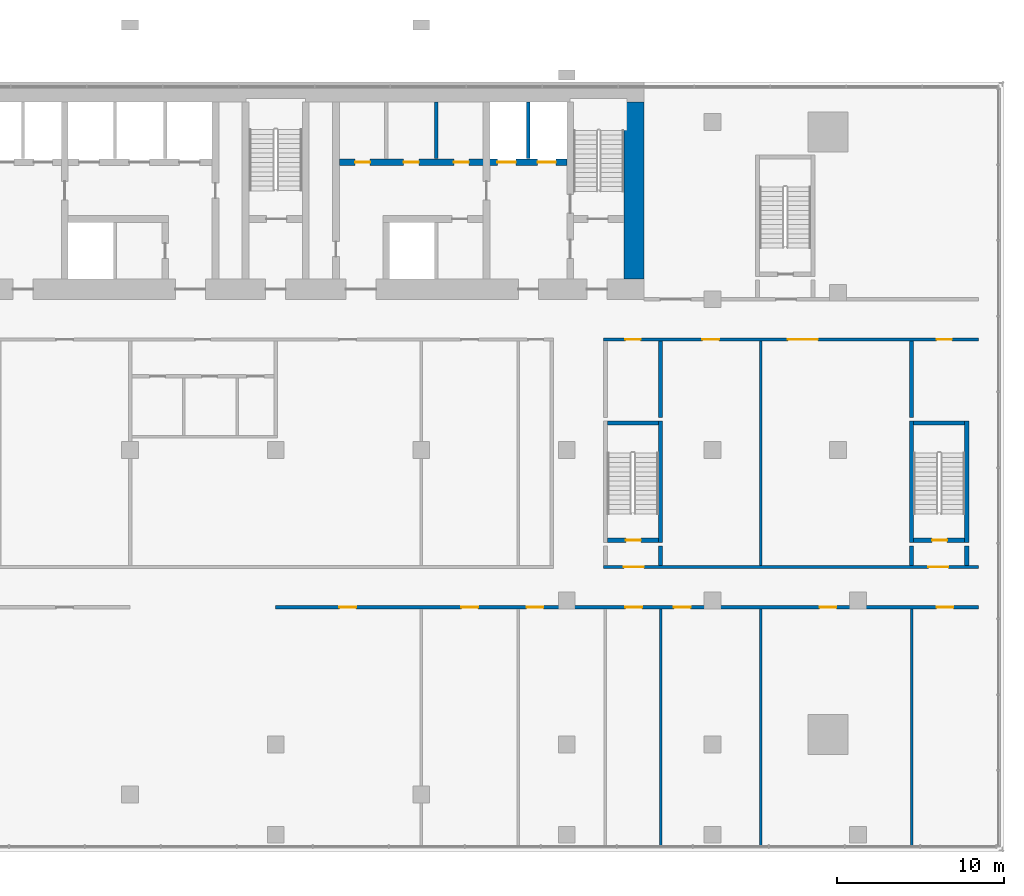
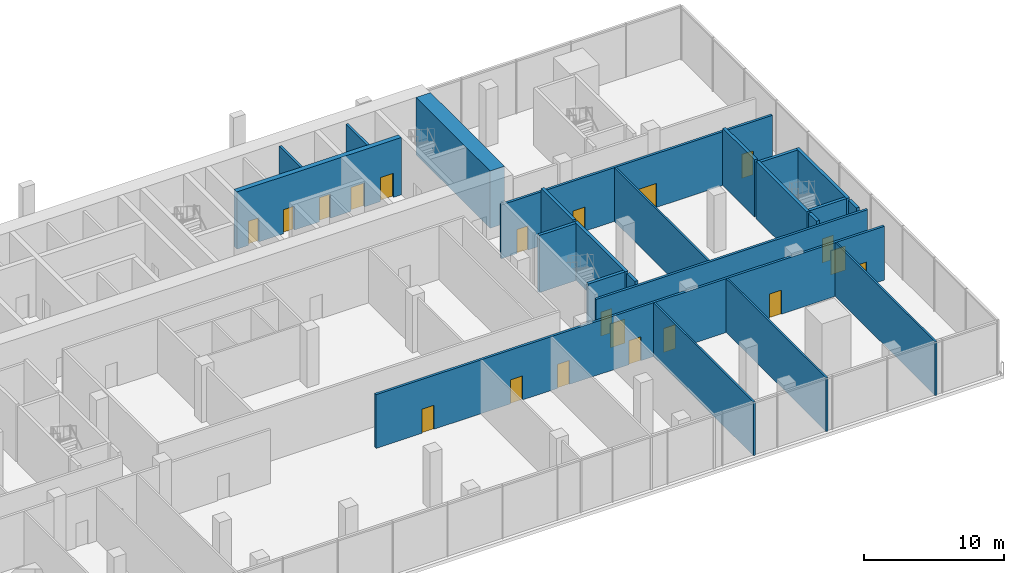
# One storey, part 14 of 20: 23 walls, 20 doors, 20 openings.
"""IFC4 building model written with IfcOpenShell, lengths in metres."""

from ifc_helpers import new_model, si_unit, direction, frame, frame_2d, origin, place, context, subcontext, project, spatial, rectangle, extrude, material, layer, layer_set, type_object, element, fill, save


model = new_model("IFC4")

# Units and contexts
model_context = context("Model", 3, precision=1e-05, world=origin(), true_north=direction((0.0, 1.0)))
body_context = subcontext(model_context, "Body", "Model", "MODEL_VIEW")
ifc_project = project(units=[si_unit("LENGTHUNIT", "METRE"), si_unit("AREAUNIT", "SQUARE_METRE"), si_unit("VOLUMEUNIT", "CUBIC_METRE"), si_unit("PLANEANGLEUNIT", "RADIAN"), si_unit("MASSUNIT", "GRAM", prefix="KILO")], contexts=[model_context])

# Site, building, storey
site_placement = place(None, origin())
site = spatial("IfcSite", under=ifc_project, at=site_placement, CompositionType="ELEMENT")
building_placement = place(site_placement, origin())
building = spatial("IfcBuilding", under=site, at=building_placement, Name="Bicima Exchange Tower", CompositionType="ELEMENT")
storey_placement = place(building_placement, frame((0.0, 0.0, 25.0)))
storey = spatial("IfcBuildingStorey", under=building, at=storey_placement, Name="L04", CompositionType="ELEMENT", Elevation=25.0)

# Wall
ifc_material_1 = material(Name="Gypsum board partition")
ifc_layer_1 = layer(ifc_material_1, 0.199951171875)
ifc_layer_set_1 = layer_set([ifc_layer_1], Name="Gypsum board partition")
wall_type_1 = type_object("IfcWallType", Name="Fire-rated gypsum partition 200 EI120", PredefinedType="PARTITIONING", material=ifc_layer_set_1)
wall_1_placement = place(storey_placement, frame((15.10009765625, -4.60009765625, 0.0), z_axis=(0.0, 0.0, 1.0), x_axis=(0.0, 1.0, 0.0)))
element("IfcWall", 1, at=wall_1_placement, inside=storey, type_object=wall_type_1, Name="partition wall 24", PredefinedType="PARTITIONING", context=body_context, shape_type="SweptSolid", body=[
    extrude(rectangle(XDim=3.400146484375, YDim=0.199951171875, at=frame_2d((1.7001953125, 0.0))), origin(), (0.0, 0.0, 1.0), 4.699951171875),
])

# Wall, openings, doors
ifc_layer_2 = layer(ifc_material_1, 0.199951171875)
ifc_layer_set_2 = layer_set([ifc_layer_2], Name="Gypsum board partition")
wall_type_2 = type_object("IfcWallType", Name="Fire-rated gypsum partition 200 EI60", PredefinedType="PARTITIONING", material=ifc_layer_set_2)
wall_2_placement = place(storey_placement, frame((0.0, -31.39990234375, 0.0), z_axis=(0.0, 0.0, 1.0), x_axis=(1.0, 0.0, 0.0)))
wall_2 = element("IfcWall", 2, at=wall_2_placement, inside=storey, type_object=wall_type_2, Name="partition wall 2", PredefinedType="PARTITIONING", context=body_context, shape_type="SweptSolid", body=[
    extrude(rectangle(XDim=42.0, YDim=0.199951171875, at=frame_2d((21.0, 0.0))), origin(), (0.0, 0.0, 1.0), 4.699951171875),
])
opening_1_placement = place(wall_2_placement, frame((3.800048828125, 0.0, 0.0)))
opening_1 = element("IfcOpeningElement", 3, at=opening_1_placement, cuts=wall_2, Name="Opening L04-030", PredefinedType="OPENING", context=body_context, shape_type="SweptSolid", body=[
    extrude(rectangle(XDim=1.0, YDim=2.10009765625, at=frame_2d((0.5, 1.050048828125))), frame((0.0, 0.11181640625, 0.0), z_axis=(0.0, -1.0, 0.0), x_axis=(1.0, 0.0, 0.0)), (0.0, 0.0, 1.0), 0.223876953125),
])
opening_2_placement = place(wall_2_placement, frame((11.10009765625, 0.0, 0.0)))
opening_2 = element("IfcOpeningElement", 4, at=opening_2_placement, cuts=wall_2, Name="Opening L04-032", PredefinedType="OPENING", context=body_context, shape_type="SweptSolid", body=[
    extrude(rectangle(XDim=1.0, YDim=2.10009765625, at=frame_2d((0.5, 1.050048828125))), frame((0.0, 0.11181640625, 0.0), z_axis=(0.0, -1.0, 0.0), x_axis=(1.0, 0.0, 0.0)), (0.0, 0.0, 1.0), 0.223876953125),
])
opening_3_placement = place(wall_2_placement, frame((15.0, 0.0, 0.0)))
opening_3 = element("IfcOpeningElement", 5, at=opening_3_placement, cuts=wall_2, Name="Opening L04-034", PredefinedType="OPENING", context=body_context, shape_type="SweptSolid", body=[
    extrude(rectangle(XDim=1.0, YDim=2.10009765625, at=frame_2d((0.5, 1.050048828125))), frame((0.0, 0.11181640625, 0.0), z_axis=(0.0, -1.0, 0.0), x_axis=(1.0, 0.0, 0.0)), (0.0, 0.0, 1.0), 0.223876953125),
])
opening_4_placement = place(wall_2_placement, frame((20.89990234375, 0.0, 0.0)))
opening_4 = element("IfcOpeningElement", 6, at=opening_4_placement, cuts=wall_2, Name="Opening L04-036", PredefinedType="OPENING", context=body_context, shape_type="SweptSolid", body=[
    extrude(rectangle(XDim=1.0, YDim=2.10009765625, at=frame_2d((0.5, 1.050048828125))), frame((0.0, 0.11181640625, 0.0), z_axis=(0.0, -1.0, 0.0), x_axis=(1.0, 0.0, 0.0)), (0.0, 0.0, 1.0), 0.223876953125),
])
opening_5_placement = place(wall_2_placement, frame((23.800048828125, 0.0, 0.0)))
opening_5 = element("IfcOpeningElement", 7, at=opening_5_placement, cuts=wall_2, Name="Opening L04-038", PredefinedType="OPENING", context=body_context, shape_type="SweptSolid", body=[
    extrude(rectangle(XDim=1.0, YDim=2.10009765625, at=frame_2d((0.5, 1.050048828125))), frame((0.0, 0.11181640625, 0.0), z_axis=(0.0, -1.0, 0.0), x_axis=(1.0, 0.0, 0.0)), (0.0, 0.0, 1.0), 0.223876953125),
])
opening_6_placement = place(wall_2_placement, frame((32.5, 0.0, 0.0)))
opening_6 = element("IfcOpeningElement", 8, at=opening_6_placement, cuts=wall_2, Name="Opening L04-040", PredefinedType="OPENING", context=body_context, shape_type="SweptSolid", body=[
    extrude(rectangle(XDim=1.0, YDim=2.10009765625, at=frame_2d((0.5, 1.050048828125))), frame((0.0, 0.11181640625, 0.0), z_axis=(0.0, -1.0, 0.0), x_axis=(1.0, 0.0, 0.0)), (0.0, 0.0, 1.0), 0.223876953125),
])
opening_7_placement = place(wall_2_placement, frame((39.5, 0.0, 0.0)))
opening_7 = element("IfcOpeningElement", 9, at=opening_7_placement, cuts=wall_2, Name="Opening L04-042", PredefinedType="OPENING", context=body_context, shape_type="SweptSolid", body=[
    extrude(rectangle(XDim=1.0, YDim=2.10009765625, at=frame_2d((0.5, 1.050048828125))), frame((0.0, 0.11181640625, 0.0), z_axis=(0.0, -1.0, 0.0), x_axis=(1.0, 0.0, 0.0)), (0.0, 0.0, 1.0), 0.223876953125),
])
ifc_material_2 = material(Name="Steel fire door leaf", Category="steel")
door_type_1 = type_object("IfcDoorType", Name="Door 1000 swing FD30S", OperationType="SINGLE_SWING_LEFT", PredefinedType="DOOR", material=ifc_material_2)
door_1_placement = place(opening_1_placement, frame((1.0, 0.0, 0.0), z_axis=(0.0, 0.0, 1.0), x_axis=(-1.0, 0.0, 0.0)))
door_1 = element("IfcDoor", 10, at=door_1_placement, inside=storey, type_object=door_type_1, Name="Door", OperationType="SINGLE_SWING_RIGHT", OverallHeight=2.10009765625, OverallWidth=1.0, PredefinedType="DOOR", context=body_context, shape_type="SweptSolid", body=[
    extrude(rectangle(XDim=1.0, YDim=2.10009765625, at=frame_2d((0.5, 1.050048828125))), frame((0.0, 0.02490234375, 0.0), z_axis=(0.0, -1.0, 0.0), x_axis=(1.0, 0.0, 0.0)), (0.0, 0.0, 1.0), 0.050048828125),
])
fill(opening_1, door_1)
door_2_placement = place(opening_2_placement, frame((1.0, 0.0, 0.0), z_axis=(0.0, 0.0, 1.0), x_axis=(-1.0, 0.0, 0.0)))
door_2 = element("IfcDoor", 11, at=door_2_placement, inside=storey, type_object=door_type_1, Name="Door", OperationType="SINGLE_SWING_RIGHT", OverallHeight=2.10009765625, OverallWidth=1.0, PredefinedType="DOOR", context=body_context, shape_type="SweptSolid", body=[
    extrude(rectangle(XDim=1.0, YDim=2.10009765625, at=frame_2d((0.5, 1.050048828125))), frame((0.0, 0.02490234375, 0.0), z_axis=(0.0, -1.0, 0.0), x_axis=(1.0, 0.0, 0.0)), (0.0, 0.0, 1.0), 0.050048828125),
])
fill(opening_2, door_2)
door_3_placement = place(opening_3_placement, frame((1.0, 0.0, 0.0), z_axis=(0.0, 0.0, 1.0), x_axis=(-1.0, 0.0, 0.0)))
door_3 = element("IfcDoor", 12, at=door_3_placement, inside=storey, type_object=door_type_1, Name="Door", OperationType="SINGLE_SWING_LEFT", OverallHeight=2.10009765625, OverallWidth=1.0, PredefinedType="DOOR", context=body_context, shape_type="SweptSolid", body=[
    extrude(rectangle(XDim=1.0, YDim=2.10009765625, at=frame_2d((0.5, 1.050048828125))), frame((0.0, 0.02490234375, 0.0), z_axis=(0.0, -1.0, 0.0), x_axis=(1.0, 0.0, 0.0)), (0.0, 0.0, 1.0), 0.050048828125),
])
fill(opening_3, door_3)
door_4_placement = place(opening_4_placement, frame((1.0, 0.0, 0.0), z_axis=(0.0, 0.0, 1.0), x_axis=(-1.0, 0.0, 0.0)))
door_4 = element("IfcDoor", 13, at=door_4_placement, inside=storey, type_object=door_type_1, Name="Door", OperationType="SINGLE_SWING_RIGHT", OverallHeight=2.10009765625, OverallWidth=1.0, PredefinedType="DOOR", context=body_context, shape_type="SweptSolid", body=[
    extrude(rectangle(XDim=1.0, YDim=2.10009765625, at=frame_2d((0.5, 1.050048828125))), frame((0.0, 0.02490234375, 0.0), z_axis=(0.0, -1.0, 0.0), x_axis=(1.0, 0.0, 0.0)), (0.0, 0.0, 1.0), 0.050048828125),
])
fill(opening_4, door_4)
door_5_placement = place(opening_5_placement, frame((1.0, 0.0, 0.0), z_axis=(0.0, 0.0, 1.0), x_axis=(-1.0, 0.0, 0.0)))
door_5 = element("IfcDoor", 14, at=door_5_placement, inside=storey, type_object=door_type_1, Name="Door", OperationType="SINGLE_SWING_RIGHT", OverallHeight=2.10009765625, OverallWidth=1.0, PredefinedType="DOOR", context=body_context, shape_type="SweptSolid", body=[
    extrude(rectangle(XDim=1.0, YDim=2.10009765625, at=frame_2d((0.5, 1.050048828125))), frame((0.0, 0.02490234375, 0.0), z_axis=(0.0, -1.0, 0.0), x_axis=(1.0, 0.0, 0.0)), (0.0, 0.0, 1.0), 0.050048828125),
])
fill(opening_5, door_5)
door_6_placement = place(opening_6_placement, frame((1.0, 0.0, 0.0), z_axis=(0.0, 0.0, 1.0), x_axis=(-1.0, 0.0, 0.0)))
door_6 = element("IfcDoor", 15, at=door_6_placement, inside=storey, type_object=door_type_1, Name="Door", OperationType="SINGLE_SWING_LEFT", OverallHeight=2.10009765625, OverallWidth=1.0, PredefinedType="DOOR", context=body_context, shape_type="SweptSolid", body=[
    extrude(rectangle(XDim=1.0, YDim=2.10009765625, at=frame_2d((0.5, 1.050048828125))), frame((0.0, 0.02490234375, 0.0), z_axis=(0.0, -1.0, 0.0), x_axis=(1.0, 0.0, 0.0)), (0.0, 0.0, 1.0), 0.050048828125),
])
fill(opening_6, door_6)
door_7_placement = place(opening_7_placement, frame((1.0, 0.0, 0.0), z_axis=(0.0, 0.0, 1.0), x_axis=(-1.0, 0.0, 0.0)))
door_7 = element("IfcDoor", 16, at=door_7_placement, inside=storey, type_object=door_type_1, Name="Door", OperationType="SINGLE_SWING_RIGHT", OverallHeight=2.10009765625, OverallWidth=1.0, PredefinedType="DOOR", context=body_context, shape_type="SweptSolid", body=[
    extrude(rectangle(XDim=1.0, YDim=2.10009765625, at=frame_2d((0.5, 1.050048828125))), frame((0.0, 0.02490234375, 0.0), z_axis=(0.0, -1.0, 0.0), x_axis=(1.0, 0.0, 0.0)), (0.0, 0.0, 1.0), 0.050048828125),
])
fill(opening_7, door_7)

wall_3_placement = place(storey_placement, frame((19.574951171875, -29.0, 0.0), z_axis=(0.0, 0.0, 1.0), x_axis=(1.0, 0.0, 0.0)))
wall_3 = element("IfcWall", 17, at=wall_3_placement, inside=storey, type_object=wall_type_2, Name="partition wall 5", PredefinedType="PARTITIONING", context=body_context, shape_type="SweptSolid", body=[
    extrude(rectangle(XDim=22.425048828125, YDim=0.199951171875, at=frame_2d((11.21240234375, 0.0))), origin(), (0.0, 0.0, 1.0), 4.699951171875),
])
opening_8_placement = place(wall_3_placement, frame((1.22509765625, 0.0, 0.0)))
opening_8 = element("IfcOpeningElement", 18, at=opening_8_placement, cuts=wall_3, Name="Opening L04-005", PredefinedType="OPENING", context=body_context, shape_type="SweptSolid", body=[
    extrude(rectangle(XDim=1.199951171875, YDim=2.10009765625, at=frame_2d((0.60009765625, 1.050048828125))), frame((0.0, 0.11181640625, 0.0), z_axis=(0.0, -1.0, 0.0), x_axis=(1.0, 0.0, 0.0)), (0.0, 0.0, 1.0), 0.223876953125),
])
opening_9_placement = place(wall_3_placement, frame((19.425048828125, 0.0, 0.0)))
opening_9 = element("IfcOpeningElement", 19, at=opening_9_placement, cuts=wall_3, Name="Opening L04-007", PredefinedType="OPENING", context=body_context, shape_type="SweptSolid", body=[
    extrude(rectangle(XDim=1.199951171875, YDim=2.10009765625, at=frame_2d((0.60009765625, 1.050048828125))), frame((0.0, 0.11181640625, 0.0), z_axis=(0.0, -1.0, 0.0), x_axis=(1.0, 0.0, 0.0)), (0.0, 0.0, 1.0), 0.223876953125),
])
door_type_2 = type_object("IfcDoorType", Name="Door 1200 swing FD30S", OperationType="SINGLE_SWING_LEFT", PredefinedType="DOOR", material=ifc_material_2)
door_8_placement = place(opening_8_placement, origin())
door_8 = element("IfcDoor", 20, at=door_8_placement, inside=storey, type_object=door_type_2, Name="Door", OperationType="SINGLE_SWING_LEFT", OverallHeight=2.10009765625, OverallWidth=1.199951171875, PredefinedType="DOOR", context=body_context, shape_type="SweptSolid", body=[
    extrude(rectangle(XDim=1.199951171875, YDim=2.10009765625, at=frame_2d((0.60009765625, 1.050048828125))), frame((0.0, 0.02490234375, 0.0), z_axis=(0.0, -1.0, 0.0), x_axis=(1.0, 0.0, 0.0)), (0.0, 0.0, 1.0), 0.050048828125),
])
fill(opening_8, door_8)
door_9_placement = place(opening_9_placement, origin())
door_9 = element("IfcDoor", 21, at=door_9_placement, inside=storey, type_object=door_type_2, Name="Door", OperationType="SINGLE_SWING_LEFT", OverallHeight=2.10009765625, OverallWidth=1.199951171875, PredefinedType="DOOR", context=body_context, shape_type="SweptSolid", body=[
    extrude(rectangle(XDim=1.199951171875, YDim=2.10009765625, at=frame_2d((0.60009765625, 1.050048828125))), frame((0.0, 0.02490234375, 0.0), z_axis=(0.0, -1.0, 0.0), x_axis=(1.0, 0.0, 0.0)), (0.0, 0.0, 1.0), 0.050048828125),
])
fill(opening_9, door_9)

wall_4_placement = place(storey_placement, frame((19.574951171875, -15.39990234375, 0.0), z_axis=(0.0, 0.0, 1.0), x_axis=(1.0, 0.0, 0.0)))
wall_4 = element("IfcWall", 22, at=wall_4_placement, inside=storey, type_object=wall_type_2, Name="partition wall 18", PredefinedType="PARTITIONING", context=body_context, shape_type="SweptSolid", body=[
    extrude(rectangle(XDim=22.425048828125, YDim=0.199951171875, at=frame_2d((11.21240234375, 0.0))), origin(), (0.0, 0.0, 1.0), 4.699951171875),
])
opening_10_placement = place(wall_4_placement, frame((1.324951171875, 0.0, 0.0)))
opening_10 = element("IfcOpeningElement", 23, at=opening_10_placement, cuts=wall_4, Name="Opening L04-035", PredefinedType="OPENING", context=body_context, shape_type="SweptSolid", body=[
    extrude(rectangle(XDim=0.89990234375, YDim=2.10009765625, at=frame_2d((0.449951171875, 1.050048828125))), frame((0.0, 0.11181640625, 0.0), z_axis=(0.0, -1.0, 0.0), x_axis=(1.0, 0.0, 0.0)), (0.0, 0.0, 1.0), 0.223876953125),
])
opening_11_placement = place(wall_4_placement, frame((5.925048828125, 0.0, 0.0)))
opening_11 = element("IfcOpeningElement", 24, at=opening_11_placement, cuts=wall_4, Name="Opening L04-037", PredefinedType="OPENING", context=body_context, shape_type="SweptSolid", body=[
    extrude(rectangle(XDim=1.0, YDim=2.10009765625, at=frame_2d((0.5, 1.050048828125))), frame((0.0, 0.11181640625, 0.0), z_axis=(0.0, -1.0, 0.0), x_axis=(1.0, 0.0, 0.0)), (0.0, 0.0, 1.0), 0.223876953125),
])
opening_12_placement = place(wall_4_placement, frame((11.02490234375, 0.0, 0.0)))
opening_12 = element("IfcOpeningElement", 25, at=opening_12_placement, cuts=wall_4, Name="Opening L04-039", PredefinedType="OPENING", context=body_context, shape_type="SweptSolid", body=[
    extrude(rectangle(XDim=1.800048828125, YDim=2.10009765625, at=frame_2d((0.89990234375, 1.050048828125))), frame((0.0, 0.11181640625, 0.0), z_axis=(0.0, -1.0, 0.0), x_axis=(1.0, 0.0, 0.0)), (0.0, 0.0, 1.0), 0.223876953125),
])
opening_13_placement = place(wall_4_placement, frame((19.925048828125, 0.0, 0.0)))
opening_13 = element("IfcOpeningElement", 26, at=opening_13_placement, cuts=wall_4, Name="Opening L04-041", PredefinedType="OPENING", context=body_context, shape_type="SweptSolid", body=[
    extrude(rectangle(XDim=0.89990234375, YDim=2.10009765625, at=frame_2d((0.449951171875, 1.050048828125))), frame((0.0, 0.11181640625, 0.0), z_axis=(0.0, -1.0, 0.0), x_axis=(1.0, 0.0, 0.0)), (0.0, 0.0, 1.0), 0.223876953125),
])
door_10_placement = place(opening_11_placement, frame((1.0, 0.0, 0.0), z_axis=(0.0, 0.0, 1.0), x_axis=(-1.0, 0.0, 0.0)))
door_10 = element("IfcDoor", 27, at=door_10_placement, inside=storey, type_object=door_type_1, Name="Door", OperationType="SINGLE_SWING_LEFT", OverallHeight=2.10009765625, OverallWidth=1.0, PredefinedType="DOOR", context=body_context, shape_type="SweptSolid", body=[
    extrude(rectangle(XDim=1.0, YDim=2.10009765625, at=frame_2d((0.5, 1.050048828125))), frame((0.0, 0.02490234375, 0.0), z_axis=(0.0, -1.0, 0.0), x_axis=(1.0, 0.0, 0.0)), (0.0, 0.0, 1.0), 0.050048828125),
])
fill(opening_11, door_10)
door_type_3 = type_object("IfcDoorType", Name="Door 1800 double swing FD30S", OperationType="DOUBLE_DOOR_SINGLE_SWING", PredefinedType="DOOR", material=ifc_material_2)
door_11_placement = place(opening_12_placement, origin())
door_11 = element("IfcDoor", 28, at=door_11_placement, inside=storey, type_object=door_type_3, Name="Door", OperationType="SINGLE_SWING_LEFT", OverallHeight=2.10009765625, OverallWidth=1.800048828125, PredefinedType="DOOR", context=body_context, shape_type="SweptSolid", body=[
    extrude(rectangle(XDim=1.800048828125, YDim=2.10009765625, at=frame_2d((0.89990234375, 1.050048828125))), frame((0.0, 0.02490234375, 0.0), z_axis=(0.0, -1.0, 0.0), x_axis=(1.0, 0.0, 0.0)), (0.0, 0.0, 1.0), 0.050048828125),
])
fill(opening_12, door_11)
door_type_4 = type_object("IfcDoorType", Name="Door 900 swing FD30S", OperationType="SINGLE_SWING_LEFT", PredefinedType="DOOR", material=ifc_material_2)
door_12_placement = place(opening_10_placement, frame((0.89990234375, 0.0, 0.0), z_axis=(0.0, 0.0, 1.0), x_axis=(-1.0, 0.0, 0.0)))
door_12 = element("IfcDoor", 29, at=door_12_placement, inside=storey, type_object=door_type_4, Name="Door", OperationType="SINGLE_SWING_RIGHT", OverallHeight=2.10009765625, OverallWidth=0.89990234375, PredefinedType="DOOR", context=body_context, shape_type="SweptSolid", body=[
    extrude(rectangle(XDim=0.89990234375, YDim=2.10009765625, at=frame_2d((0.449951171875, 1.050048828125))), frame((0.0, 0.02490234375, 0.0), z_axis=(0.0, -1.0, 0.0), x_axis=(1.0, 0.0, 0.0)), (0.0, 0.0, 1.0), 0.050048828125),
])
fill(opening_10, door_12)
door_13_placement = place(opening_13_placement, frame((0.89990234375, 0.0, 0.0), z_axis=(0.0, 0.0, 1.0), x_axis=(-1.0, 0.0, 0.0)))
door_13 = element("IfcDoor", 30, at=door_13_placement, inside=storey, type_object=door_type_4, Name="Door", OperationType="SINGLE_SWING_RIGHT", OverallHeight=2.10009765625, OverallWidth=0.89990234375, PredefinedType="DOOR", context=body_context, shape_type="SweptSolid", body=[
    extrude(rectangle(XDim=0.89990234375, YDim=2.10009765625, at=frame_2d((0.449951171875, 1.050048828125))), frame((0.0, 0.02490234375, 0.0), z_axis=(0.0, -1.0, 0.0), x_axis=(1.0, 0.0, 0.0)), (0.0, 0.0, 1.0), 0.050048828125),
])
fill(opening_13, door_13)

# Walls
wall_5_placement = place(storey_placement, frame((9.60009765625, -4.60009765625, 0.0), z_axis=(0.0, 0.0, 1.0), x_axis=(0.0, 1.0, 0.0)))
element("IfcWall", 31, at=wall_5_placement, inside=storey, type_object=wall_type_2, Name="partition wall 22", PredefinedType="PARTITIONING", context=body_context, shape_type="SweptSolid", body=[
    extrude(rectangle(XDim=3.400146484375, YDim=0.199951171875, at=frame_2d((1.7001953125, 0.0))), origin(), (0.0, 0.0, 1.0), 4.699951171875),
])
ifc_layer_3 = layer(ifc_material_1, 0.14990234375)
ifc_layer_set_3 = layer_set([ifc_layer_3], Name="Gypsum board partition")
wall_type_3 = type_object("IfcWallType", Name="Gypsum partition 150", PredefinedType="PARTITIONING", material=ifc_layer_set_3)
for number, where, z_axis, x_axis, name in (
    (32, (23.0, -45.7900390625, 0.0), (0.0, 0.0, 1.0), (0.0, 1.0, 0.0), "partition wall 50"),
    (33, (29.0, -45.7900390625, 0.0), (0.0, 0.0, 1.0), (0.0, 1.0, 0.0), "partition wall 53"),
):
    element("IfcWall", number, at=place(storey_placement, frame(where, z_axis=z_axis, x_axis=x_axis)), inside=storey, type_object=wall_type_3, Name=name, PredefinedType="PARTITIONING", context=body_context, shape_type="SweptSolid", body=[
        extrude(rectangle(XDim=14.2900390625, YDim=0.14990234375, at=frame_2d((7.14501953125, 0.0))), origin(), (0.0, 0.0, 1.0), 4.699951171875),
    ])
wall_6_placement = place(storey_placement, frame((29.0, -28.89990234375, 0.0), z_axis=(0.0, 0.0, 1.0), x_axis=(0.0, 1.0, 0.0)))
element("IfcWall", 34, at=wall_6_placement, inside=storey, type_object=wall_type_3, Name="partition wall 54", PredefinedType="PARTITIONING", context=body_context, shape_type="SweptSolid", body=[
    extrude(rectangle(XDim=13.39990234375, YDim=0.14990234375, at=frame_2d((6.699951171875, 0.0))), origin(), (0.0, 0.0, 1.0), 4.699951171875),
])
wall_7_placement = place(storey_placement, frame((38.0, -45.7900390625, 0.0), z_axis=(0.0, 0.0, 1.0), x_axis=(0.0, 1.0, 0.0)))
element("IfcWall", 35, at=wall_7_placement, inside=storey, type_object=wall_type_3, Name="partition wall 56", PredefinedType="PARTITIONING", context=body_context, shape_type="SweptSolid", body=[
    extrude(rectangle(XDim=14.2900390625, YDim=0.14990234375, at=frame_2d((7.14501953125, 0.0))), origin(), (0.0, 0.0, 1.0), 4.699951171875),
])
ifc_material_3 = material(Name="Concrete C60/75", Category="concrete")
ifc_layer_4 = layer(ifc_material_3, 1.199951171875)
ifc_layer_set_4 = layer_set([ifc_layer_4], Name="Concrete C60/75")
wall_type_4 = type_object("IfcWallType", Name="RC core wall 1200 C60/75", PredefinedType="SHEAR", material=ifc_layer_set_4)
wall_8_placement = place(storey_placement, frame((21.39990234375, -11.800048828125, 0.0), z_axis=(0.0, 0.0, 1.0), x_axis=(0.0, 1.0, 0.0)))
element("IfcWall", 36, at=wall_8_placement, inside=storey, type_object=wall_type_4, Name="Core wall east", PredefinedType="SHEAR", context=body_context, shape_type="SweptSolid", body=[
    extrude(rectangle(XDim=10.60009765625, YDim=1.199951171875, at=frame_2d((5.300048828125, 0.0))), origin(), (0.0, 0.0, 1.0), 5.0),
])
ifc_material_4 = material(Name="Concrete C50/60", Category="concrete")
ifc_layer_5 = layer(ifc_material_4, 0.25)
ifc_layer_set_5 = layer_set([ifc_layer_5], Name="Concrete C50/60")
wall_type_5 = type_object("IfcWallType", Name="RC core wall 250 C50/60", PredefinedType="SHEAR", material=ifc_layer_set_5)
wall_9_placement = place(storey_placement, frame((23.0, -28.89990234375, 0.0), z_axis=(0.0, 0.0, 1.0), x_axis=(0.0, 1.0, 0.0)))
element("IfcWall", 37, at=wall_9_placement, inside=storey, type_object=wall_type_5, Name="stair wall 51", PredefinedType="SHEAR", context=body_context, shape_type="SweptSolid", body=[
    extrude(rectangle(XDim=1.14990234375, YDim=0.25, at=frame_2d((0.574951171875, 0.0))), origin(), (0.0, 0.0, 1.0), 5.0),
])
wall_10_placement = place(storey_placement, frame((23.0, -20.050048828125, 0.0), z_axis=(0.0, 0.0, 1.0), x_axis=(0.0, 1.0, 0.0)))
element("IfcWall", 38, at=wall_10_placement, inside=storey, type_object=wall_type_5, Name="stair wall 51", PredefinedType="SHEAR", context=body_context, shape_type="SweptSolid", body=[
    extrude(rectangle(XDim=4.550048828125, YDim=0.25, at=frame_2d((2.27490234375, 0.0))), origin(), (0.0, 0.0, 1.0), 5.0),
])
wall_11_placement = place(storey_placement, frame((38.0, -28.89990234375, 0.0), z_axis=(0.0, 0.0, 1.0), x_axis=(0.0, 1.0, 0.0)))
element("IfcWall", 39, at=wall_11_placement, inside=storey, type_object=wall_type_5, Name="stair wall 57", PredefinedType="SHEAR", context=body_context, shape_type="SweptSolid", body=[
    extrude(rectangle(XDim=1.14990234375, YDim=0.25, at=frame_2d((0.574951171875, 0.0))), origin(), (0.0, 0.0, 1.0), 5.0),
])
wall_12_placement = place(storey_placement, frame((38.0, -20.050048828125, 0.0), z_axis=(0.0, 0.0, 1.0), x_axis=(0.0, 1.0, 0.0)))
element("IfcWall", 40, at=wall_12_placement, inside=storey, type_object=wall_type_5, Name="stair wall 57", PredefinedType="SHEAR", context=body_context, shape_type="SweptSolid", body=[
    extrude(rectangle(XDim=4.550048828125, YDim=0.25, at=frame_2d((2.27490234375, 0.0))), origin(), (0.0, 0.0, 1.0), 5.0),
])
wall_13_placement = place(storey_placement, frame((41.300048828125, -28.89990234375, 0.0), z_axis=(0.0, 0.0, 1.0), x_axis=(0.0, 1.0, 0.0)))
element("IfcWall", 41, at=wall_13_placement, inside=storey, type_object=wall_type_5, Name="stair wall 58", PredefinedType="SHEAR", context=body_context, shape_type="SweptSolid", body=[
    extrude(rectangle(XDim=1.14990234375, YDim=0.25, at=frame_2d((0.574951171875, 0.0))), origin(), (0.0, 0.0, 1.0), 5.0),
])

# Wall, openings, doors
ifc_layer_6 = layer(ifc_material_3, 0.39990234375)
ifc_layer_set_6 = layer_set([ifc_layer_6], Name="Concrete C60/75")
wall_type_6 = type_object("IfcWallType", Name="RC core wall 400 C60/75", PredefinedType="SHEAR", material=ifc_layer_set_6)
wall_14_placement = place(storey_placement, frame((3.800048828125, -4.800048828125, 0.0), z_axis=(0.0, 0.0, 1.0), x_axis=(1.0, 0.0, 0.0)))
wall_14 = element("IfcWall", 42, at=wall_14_placement, inside=storey, type_object=wall_type_6, Name="shear wall 7", PredefinedType="SHEAR", context=body_context, shape_type="SweptSolid", body=[
    extrude(rectangle(XDim=13.599853515625, YDim=0.39990234375, at=frame_2d((6.7998046875, 0.0))), origin(), (0.0, 0.0, 1.0), 5.0),
])
opening_14_placement = place(wall_14_placement, frame((9.449951171875, 0.0, 0.0)))
opening_14 = element("IfcOpeningElement", 43, at=opening_14_placement, cuts=wall_14, Name="Opening LD-FF2-L04", PredefinedType="OPENING", context=body_context, shape_type="SweptSolid", body=[
    extrude(rectangle(XDim=1.10009765625, YDim=2.10009765625, at=frame_2d((0.550048828125, 1.050048828125))), frame((0.0, 0.2119140625, 0.0), z_axis=(0.0, -1.0, 0.0), x_axis=(1.0, 0.0, 0.0)), (0.0, 0.0, 1.0), 0.423828125),
])
opening_15_placement = place(wall_14_placement, frame((11.85009765625, 0.0, 0.0)))
opening_15 = element("IfcOpeningElement", 44, at=opening_15_placement, cuts=wall_14, Name="Opening LD-SV1-L04", PredefinedType="OPENING", context=body_context, shape_type="SweptSolid", body=[
    extrude(rectangle(XDim=1.10009765625, YDim=2.10009765625, at=frame_2d((0.550048828125, 1.050048828125))), frame((0.0, 0.2119140625, 0.0), z_axis=(0.0, -1.0, 0.0), x_axis=(1.0, 0.0, 0.0)), (0.0, 0.0, 1.0), 0.423828125),
])
opening_16_placement = place(wall_14_placement, frame((0.949951171875, 0.0, 0.0)))
opening_16 = element("IfcOpeningElement", 45, at=opening_16_placement, cuts=wall_14, Name="Opening L04-C12", PredefinedType="OPENING", context=body_context, shape_type="SweptSolid", body=[
    extrude(rectangle(XDim=0.89990234375, YDim=2.10009765625, at=frame_2d((0.449951171875, 1.050048828125))), frame((0.0, 0.2119140625, 0.0), z_axis=(0.0, -1.0, 0.0), x_axis=(1.0, 0.0, 0.0)), (0.0, 0.0, 1.0), 0.423828125),
])
opening_17_placement = place(wall_14_placement, frame((3.85009765625, 0.0, 0.0)))
opening_17 = element("IfcOpeningElement", 46, at=opening_17_placement, cuts=wall_14, Name="Opening L04-C13", PredefinedType="OPENING", context=body_context, shape_type="SweptSolid", body=[
    extrude(rectangle(XDim=0.89990234375, YDim=2.10009765625, at=frame_2d((0.449951171875, 1.050048828125))), frame((0.0, 0.2119140625, 0.0), z_axis=(0.0, -1.0, 0.0), x_axis=(1.0, 0.0, 0.0)), (0.0, 0.0, 1.0), 0.423828125),
])
opening_18_placement = place(wall_14_placement, frame((6.85009765625, 0.0, 0.0)))
opening_18 = element("IfcOpeningElement", 47, at=opening_18_placement, cuts=wall_14, Name="Opening L04-C14", PredefinedType="OPENING", context=body_context, shape_type="SweptSolid", body=[
    extrude(rectangle(XDim=0.89990234375, YDim=2.10009765625, at=frame_2d((0.449951171875, 1.050048828125))), frame((0.0, 0.2119140625, 0.0), z_axis=(0.0, -1.0, 0.0), x_axis=(1.0, 0.0, 0.0)), (0.0, 0.0, 1.0), 0.423828125),
])
door_14_placement = place(opening_16_placement, origin())
door_14 = element("IfcDoor", 48, at=door_14_placement, inside=storey, type_object=door_type_4, Name="Core door", OperationType="SINGLE_SWING_RIGHT", OverallHeight=2.10009765625, OverallWidth=0.89990234375, PredefinedType="DOOR", context=body_context, shape_type="SweptSolid", body=[
    extrude(rectangle(XDim=0.89990234375, YDim=2.10009765625, at=frame_2d((0.449951171875, 1.050048828125))), frame((0.0, 0.02490234375, 0.0), z_axis=(0.0, -1.0, 0.0), x_axis=(1.0, 0.0, 0.0)), (0.0, 0.0, 1.0), 0.050048828125),
])
fill(opening_16, door_14)
door_15_placement = place(opening_17_placement, origin())
door_15 = element("IfcDoor", 49, at=door_15_placement, inside=storey, type_object=door_type_4, Name="Core door", OperationType="SINGLE_SWING_LEFT", OverallHeight=2.10009765625, OverallWidth=0.89990234375, PredefinedType="DOOR", context=body_context, shape_type="SweptSolid", body=[
    extrude(rectangle(XDim=0.89990234375, YDim=2.10009765625, at=frame_2d((0.449951171875, 1.050048828125))), frame((0.0, 0.02490234375, 0.0), z_axis=(0.0, -1.0, 0.0), x_axis=(1.0, 0.0, 0.0)), (0.0, 0.0, 1.0), 0.050048828125),
])
fill(opening_17, door_15)
door_16_placement = place(opening_18_placement, origin())
door_16 = element("IfcDoor", 50, at=door_16_placement, inside=storey, type_object=door_type_4, Name="Core door", OperationType="SINGLE_SWING_RIGHT", OverallHeight=2.10009765625, OverallWidth=0.89990234375, PredefinedType="DOOR", context=body_context, shape_type="SweptSolid", body=[
    extrude(rectangle(XDim=0.89990234375, YDim=2.10009765625, at=frame_2d((0.449951171875, 1.050048828125))), frame((0.0, 0.02490234375, 0.0), z_axis=(0.0, -1.0, 0.0), x_axis=(1.0, 0.0, 0.0)), (0.0, 0.0, 1.0), 0.050048828125),
])
fill(opening_18, door_16)
ifc_material_5 = material(Name="Stainless steel", Category="steel")
door_type_5 = type_object("IfcDoorType", Name="Lift landing door 1100 sliding", OperationType="DOUBLE_DOOR_SLIDING", PredefinedType="DOOR", material=ifc_material_5)
door_17_placement = place(opening_14_placement, origin())
door_17 = element("IfcDoor", 51, at=door_17_placement, inside=storey, type_object=door_type_5, Name="Lift landing door FF2", OperationType="DOUBLE_DOOR_SLIDING", OverallHeight=2.10009765625, OverallWidth=1.10009765625, PredefinedType="DOOR", context=body_context, shape_type="SweptSolid", body=[
    extrude(rectangle(XDim=1.10009765625, YDim=2.10009765625, at=frame_2d((0.550048828125, 1.050048828125))), frame((0.0, 0.02490234375, 0.0), z_axis=(0.0, -1.0, 0.0), x_axis=(1.0, 0.0, 0.0)), (0.0, 0.0, 1.0), 0.050048828125),
])
fill(opening_14, door_17)
door_18_placement = place(opening_15_placement, origin())
door_18 = element("IfcDoor", 52, at=door_18_placement, inside=storey, type_object=door_type_5, Name="Lift landing door SV1", OperationType="DOUBLE_DOOR_SLIDING", OverallHeight=2.10009765625, OverallWidth=1.10009765625, PredefinedType="DOOR", context=body_context, shape_type="SweptSolid", body=[
    extrude(rectangle(XDim=1.10009765625, YDim=2.10009765625, at=frame_2d((0.550048828125, 1.050048828125))), frame((0.0, 0.02490234375, 0.0), z_axis=(0.0, -1.0, 0.0), x_axis=(1.0, 0.0, 0.0)), (0.0, 0.0, 1.0), 0.050048828125),
])
fill(opening_15, door_18)

# Wall
ifc_layer_7 = layer(ifc_material_4, 0.25)
ifc_layer_set_7 = layer_set([ifc_layer_7], Name="Concrete C50/60")
wall_type_7 = type_object("IfcWallType", Name="RC stair enclosure wall 250 C50/60", PredefinedType="SHEAR", material=ifc_layer_set_7)
wall_15_placement = place(storey_placement, frame((23.0, -27.52490234375, 0.0), z_axis=(0.0, 0.0, 1.0), x_axis=(0.0, 1.0, 0.0)))
element("IfcWall", 53, at=wall_15_placement, inside=storey, type_object=wall_type_7, Name="Podium inner east stair wall E", PredefinedType="SHEAR", context=body_context, shape_type="SweptSolid", body=[
    extrude(rectangle(XDim=7.25, YDim=0.25, at=frame_2d((3.625, 0.0))), origin(), (0.0, 0.0, 1.0), 5.0),
])

# Wall, opening, door
wall_16_placement = place(storey_placement, frame((19.824951171875, -27.39990234375, 0.0), z_axis=(0.0, 0.0, 1.0), x_axis=(1.0, 0.0, 0.0)))
wall_16 = element("IfcWall", 54, at=wall_16_placement, inside=storey, type_object=wall_type_7, Name="Podium inner east stair wall S", PredefinedType="SHEAR", context=body_context, shape_type="SweptSolid", body=[
    extrude(rectangle(XDim=3.050048828125, YDim=0.25, at=frame_2d((1.52490234375, 0.0))), origin(), (0.0, 0.0, 1.0), 5.0),
])
opening_19_placement = place(wall_16_placement, frame((1.10009765625, 0.0, 0.0)))
opening_19 = element("IfcOpeningElement", 55, at=opening_19_placement, cuts=wall_16, Name="Opening L04-006", PredefinedType="OPENING", context=body_context, shape_type="SweptSolid", body=[
    extrude(rectangle(XDim=0.89990234375, YDim=2.10009765625, at=frame_2d((0.449951171875, 1.050048828125))), frame((0.0, 0.136962890625, 0.0), z_axis=(0.0, -1.0, 0.0), x_axis=(1.0, 0.0, 0.0)), (0.0, 0.0, 1.0), 0.27392578125),
])
door_type_6 = type_object("IfcDoorType", Name="Door 900 swing FD60S", OperationType="SINGLE_SWING_LEFT", PredefinedType="DOOR", material=ifc_material_2)
door_19_placement = place(opening_19_placement, origin())
door_19 = element("IfcDoor", 56, at=door_19_placement, inside=storey, type_object=door_type_6, Name="Door", OperationType="SINGLE_SWING_RIGHT", OverallHeight=2.10009765625, OverallWidth=0.89990234375, PredefinedType="DOOR", context=body_context, shape_type="SweptSolid", body=[
    extrude(rectangle(XDim=0.89990234375, YDim=2.10009765625, at=frame_2d((0.449951171875, 1.050048828125))), frame((0.0, 0.02490234375, 0.0), z_axis=(0.0, -1.0, 0.0), x_axis=(1.0, 0.0, 0.0)), (0.0, 0.0, 1.0), 0.050048828125),
])
fill(opening_19, door_19)

# Walls
wall_17_placement = place(storey_placement, frame((19.824951171875, -20.39990234375, 0.0), z_axis=(0.0, 0.0, 1.0), x_axis=(1.0, 0.0, 0.0)))
element("IfcWall", 57, at=wall_17_placement, inside=storey, type_object=wall_type_7, Name="Podium inner east stair wall N", PredefinedType="SHEAR", context=body_context, shape_type="SweptSolid", body=[
    extrude(rectangle(XDim=3.050048828125, YDim=0.25, at=frame_2d((1.52490234375, 0.0))), origin(), (0.0, 0.0, 1.0), 5.0),
])
for number, where, z_axis, x_axis, name in (
    (58, (38.0, -27.52490234375, 0.0), (0.0, 0.0, 1.0), (0.0, 1.0, 0.0), "Podium east stair wall W"),
    (59, (41.300048828125, -27.52490234375, 0.0), (0.0, 0.0, 1.0), (0.0, 1.0, 0.0), "Podium east stair wall E"),
):
    element("IfcWall", number, at=place(storey_placement, frame(where, z_axis=z_axis, x_axis=x_axis)), inside=storey, type_object=wall_type_7, Name=name, PredefinedType="SHEAR", context=body_context, shape_type="SweptSolid", body=[
        extrude(rectangle(XDim=7.25, YDim=0.25, at=frame_2d((3.625, 0.0))), origin(), (0.0, 0.0, 1.0), 5.0),
    ])

# Wall, opening, door
wall_18_placement = place(storey_placement, frame((38.125, -27.39990234375, 0.0), z_axis=(0.0, 0.0, 1.0), x_axis=(1.0, 0.0, 0.0)))
wall_18 = element("IfcWall", 60, at=wall_18_placement, inside=storey, type_object=wall_type_7, Name="Podium east stair wall S", PredefinedType="SHEAR", context=body_context, shape_type="SweptSolid", body=[
    extrude(rectangle(XDim=3.050048828125, YDim=0.25, at=frame_2d((1.52490234375, 0.0))), origin(), (0.0, 0.0, 1.0), 5.0),
])
opening_20_placement = place(wall_18_placement, frame((1.10009765625, 0.0, 0.0)))
opening_20 = element("IfcOpeningElement", 61, at=opening_20_placement, cuts=wall_18, Name="Opening L04-008", PredefinedType="OPENING", context=body_context, shape_type="SweptSolid", body=[
    extrude(rectangle(XDim=0.89990234375, YDim=2.10009765625, at=frame_2d((0.449951171875, 1.050048828125))), frame((0.0, 0.136962890625, 0.0), z_axis=(0.0, -1.0, 0.0), x_axis=(1.0, 0.0, 0.0)), (0.0, 0.0, 1.0), 0.27392578125),
])
door_20_placement = place(opening_20_placement, origin())
door_20 = element("IfcDoor", 62, at=door_20_placement, inside=storey, type_object=door_type_6, Name="Door", OperationType="SINGLE_SWING_LEFT", OverallHeight=2.10009765625, OverallWidth=0.89990234375, PredefinedType="DOOR", context=body_context, shape_type="SweptSolid", body=[
    extrude(rectangle(XDim=0.89990234375, YDim=2.10009765625, at=frame_2d((0.449951171875, 1.050048828125))), frame((0.0, 0.02490234375, 0.0), z_axis=(0.0, -1.0, 0.0), x_axis=(1.0, 0.0, 0.0)), (0.0, 0.0, 1.0), 0.050048828125),
])
fill(opening_20, door_20)

# Wall
wall_19_placement = place(storey_placement, frame((38.125, -20.39990234375, 0.0), z_axis=(0.0, 0.0, 1.0), x_axis=(1.0, 0.0, 0.0)))
element("IfcWall", 63, at=wall_19_placement, inside=storey, type_object=wall_type_7, Name="Podium east stair wall N", PredefinedType="SHEAR", context=body_context, shape_type="SweptSolid", body=[
    extrude(rectangle(XDim=3.050048828125, YDim=0.25, at=frame_2d((1.52490234375, 0.0))), origin(), (0.0, 0.0, 1.0), 5.0),
])

save(model, "model.ifc")
